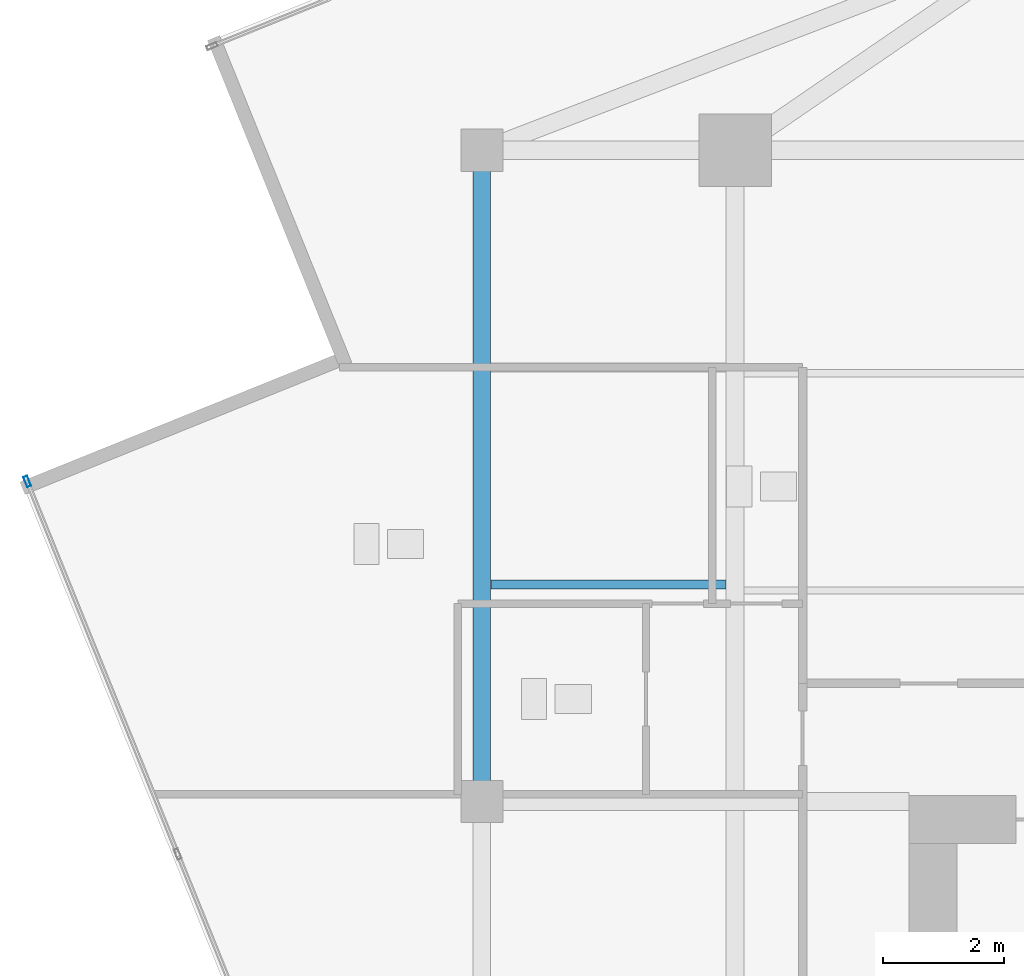
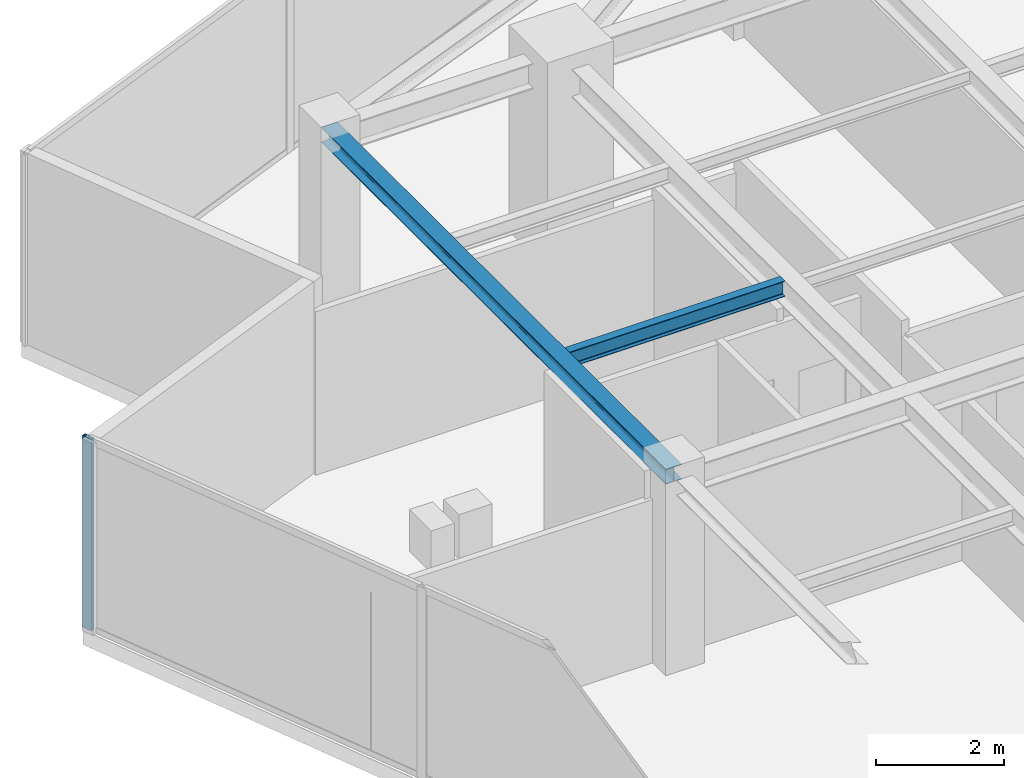
# One storey, part 7 of 21: 2 beams, 1 member, 1 element without a shape of its own.
"""IFC4 building model written with IfcOpenShell, lengths in metres."""

import ifcopenshell
import ifcopenshell.guid

model = None  # the IFC model being written
_history = None  # IfcOwnerHistory: only IFC2X3 demands one
_inside = {}  # id of a spatial element -> (the spatial element, [elements in it])
_under = {}  # id of a project, library or spatial element -> (it, [spatial elements below it])
_declared = {}  # id of a project -> (the project, [libraries it declares])
_typed = {}  # id of a type object -> (the type object, [elements of that type])
_made_of = {}  # id of a material, layer set ... -> (it, [elements and type objects made of it])


def new_model(schema):
    """Start an empty IFC model of exactly this schema.

    Asked for "IFC4X3", IfcOpenShell would pick the latest addendum, in which some entities
    have other attributes; the version numbers below select the first issue.
    IFC2X3 requires an IfcOwnerHistory on every rooted entity: one is made here for all.
    """
    global model, _history
    if schema == "IFC4X3":
        model = ifcopenshell.file(schema_version=(4, 3, 0, 0))
    else:
        model = ifcopenshell.file(schema=schema)
    _inside.clear()
    _under.clear()
    _declared.clear()
    _typed.clear()
    _made_of.clear()
    _history = None
    if model.schema == "IFC2X3":
        org = make("IfcOrganization", Name="unknown")
        user = make(
            "IfcPersonAndOrganization",
            ThePerson=make("IfcPerson", FamilyName="unknown"),
            TheOrganization=org,
        )
        app = make(
            "IfcApplication",
            ApplicationDeveloper=org,
            Version="unknown",
            ApplicationFullName="unknown",
            ApplicationIdentifier="unknown",
        )
        _history = make(
            "IfcOwnerHistory",
            OwningUser=user,
            OwningApplication=app,
            ChangeAction="ADDED",
            CreationDate=0,
        )
    return model


def make(cls, **values):
    """One entity of the class cls with the attributes given. An attribute that is None is left unset."""
    return model.create_entity(
        cls, **{name: value for name, value in values.items() if value is not None}
    )


def rooted(cls, **values):
    """An entity with a GlobalId (a new one), such as an element, a storey or a relation."""
    return make(cls, GlobalId=ifcopenshell.guid.new(), OwnerHistory=_history, **values)


def si_unit(unit_type, name, prefix=None):
    """IfcSIUnit, for example si_unit("LENGTHUNIT", "METRE", prefix="MILLI")."""
    return make("IfcSIUnit", UnitType=unit_type, Prefix=prefix, Name=name)


def assignment(units):
    """IfcUnitAssignment: the units of a project."""
    return None if units is None else make("IfcUnitAssignment", Units=units)


def point(xyz):
    """IfcCartesianPoint."""
    return None if xyz is None else make("IfcCartesianPoint", Coordinates=xyz)


def direction(xyz):
    """IfcDirection."""
    return None if xyz is None else make("IfcDirection", DirectionRatios=xyz)


def frame(location, z_axis=None, x_axis=None):
    """IfcAxis2Placement3D, a coordinate frame: its origin and axes. An axis left out is left unset."""
    return make(
        "IfcAxis2Placement3D",
        Location=point(location),
        Axis=direction(z_axis),
        RefDirection=direction(x_axis),
    )


def frame_2d(location, x_axis=None):
    """IfcAxis2Placement2D, a coordinate frame in the plane: its origin and x axis."""
    return make(
        "IfcAxis2Placement2D", Location=point(location), RefDirection=direction(x_axis)
    )


def origin():
    """The frame at (0, 0, 0) with its axes left unset."""
    return frame((0.0, 0.0, 0.0))


def origin_2d():
    """The frame at (0, 0) in the plane with its x axis left unset."""
    return frame_2d((0.0, 0.0))


def place(relative_to, where):
    """IfcLocalPlacement: puts the frame where relative to a parent placement (None: the world)."""
    return make(
        "IfcLocalPlacement", PlacementRelTo=relative_to, RelativePlacement=where
    )


def context(
    kind, dimensions, precision=None, world=None, true_north=None, identifier=None
):
    """IfcGeometricRepresentationContext, for example the 3D "Model" context."""
    return make(
        "IfcGeometricRepresentationContext",
        ContextIdentifier=identifier,
        ContextType=kind,
        CoordinateSpaceDimension=dimensions,
        Precision=precision,
        WorldCoordinateSystem=world,
        TrueNorth=true_north,
    )


def subcontext(parent, identifier, kind, view, scale=None):
    """IfcGeometricRepresentationSubContext, for example "Body" below "Model"."""
    return make(
        "IfcGeometricRepresentationSubContext",
        ContextIdentifier=identifier,
        ContextType=kind,
        ParentContext=parent,
        TargetScale=scale,
        TargetView=view,
    )


def project(units=None, contexts=None):
    """IfcProject with its units and contexts."""
    return rooted(
        "IfcProject",
        Name="project",
        RepresentationContexts=contexts,
        UnitsInContext=assignment(units),
    )


def spatial(cls, under=None, at=None, **own):
    """A site, building, storey or space (cls), placed at a placement, below another one or the project."""
    s = rooted(cls, ObjectPlacement=at, **own)
    if under is not None:
        _under.setdefault(under.id(), (under, []))[1].append(s)
    return s


def profile(cls, at=None, kind="AREA", **sizes):
    """A parametric profile (cls). Its sizes go by their IFC names, for example OverallWidth=200.0."""
    return make(cls, ProfileType=kind, Position=at, **sizes)


def hollow_rectangle(**sizes):
    """IfcRectangleHollowProfileDef."""
    return profile("IfcRectangleHollowProfileDef", **sizes)


def i_section(**sizes):
    """IfcIShapeProfileDef."""
    return profile("IfcIShapeProfileDef", **sizes)


def extrude(swept, where, along, depth):
    """IfcExtrudedAreaSolid: the profile swept, set in the frame where, extruded along a direction by depth."""
    return make(
        "IfcExtrudedAreaSolid",
        SweptArea=swept,
        Position=where,
        ExtrudedDirection=direction(along),
        Depth=depth,
    )


def shape(context_of_items, identifier, shape_type, items):
    """IfcShapeRepresentation: the items that make up one representation, for example the "Body"."""
    return make(
        "IfcShapeRepresentation",
        ContextOfItems=context_of_items,
        RepresentationIdentifier=identifier,
        RepresentationType=shape_type,
        Items=items,
    )


def source(mapping_origin, context_of_items, identifier, shape_type, items):
    """IfcRepresentationMap: a shape defined once, which mapped items show again and again."""
    return make(
        "IfcRepresentationMap",
        MappingOrigin=mapping_origin,
        MappedRepresentation=shape(context_of_items, identifier, shape_type, items),
    )


def transform(
    local_origin,
    x_axis=None,
    y_axis=None,
    z_axis=None,
    scale=None,
    scale2=None,
    scale3=None,
    uniform=True,
):
    """IfcCartesianTransformationOperator3D, or its non-uniform kind. x_axis, y_axis, z_axis: its Axis1, 2, 3."""
    if uniform:
        return make(
            "IfcCartesianTransformationOperator3D",
            Axis1=direction(x_axis),
            Axis2=direction(y_axis),
            LocalOrigin=point(local_origin),
            Scale=scale,
            Axis3=direction(z_axis),
        )
    return make(
        "IfcCartesianTransformationOperator3DnonUniform",
        Axis1=direction(x_axis),
        Axis2=direction(y_axis),
        LocalOrigin=point(local_origin),
        Scale=scale,
        Axis3=direction(z_axis),
        Scale2=scale2,
        Scale3=scale3,
    )


def mapped(mapping_source, mapping_target):
    """IfcMappedItem: shows the shape of a source again, moved by a transform."""
    return make(
        "IfcMappedItem", MappingSource=mapping_source, MappingTarget=mapping_target
    )


def material(Name=None, Category=None):
    """IfcMaterial."""
    return make("IfcMaterial", Name=Name, Category=Category)


def material_profile(
    of_material, cross_section, Name=None, Category=None, Priority=None
):
    """IfcMaterialProfile: a cross section and its material."""
    return make(
        "IfcMaterialProfile",
        Name=Name,
        Material=of_material,
        Profile=cross_section,
        Priority=Priority,
        Category=Category,
    )


def profile_set(profiles, Name=None, composite=None):
    """IfcMaterialProfileSet."""
    return make(
        "IfcMaterialProfileSet",
        Name=Name,
        MaterialProfiles=profiles,
        CompositeProfile=composite,
    )


def made_of(thing, what):
    """Note that an element or type object is made of a material, layer set ...; save() writes the relation."""
    if what is not None:
        _made_of.setdefault(what.id(), (what, []))[1].append(thing)
    return thing


def type_object(cls, material=None, **own):
    """A type object (cls), such as IfcWallType, which elements share."""
    return made_of(rooted(cls, **own), material)


def type_shapes(of_type, sources):
    """Give a type object the sources (RepresentationMaps) that its elements show as mapped items."""
    of_type.RepresentationMaps = sources


def element(
    cls,
    number,
    at=None,
    inside=None,
    cuts=None,
    type_object=None,
    material=None,
    context=None,
    identifier="Body",
    shape_type=None,
    held_by="IfcProductDefinitionShape",
    body=None,
    shapes=None,
    **own,
):
    """One element of the class cls, such as IfcWall. Its Tag is "e" and its number.

    at: its placement. inside: the storey or other place that contains it. cuts: it is an
    opening in that element (IfcRelVoidsElement). A single representation is given by context,
    identifier, shape_type and body (its items); several are given by shapes. held_by: the class
    of the entity that holds the representations. save() writes the other relations.
    """
    e = rooted(cls, Tag="e%d" % number, ObjectPlacement=at, **own)
    if body is not None:
        shapes = [shape(context, identifier, shape_type, body)]
    if shapes is not None:
        e.Representation = make(held_by, Representations=shapes)
    if inside is not None:
        _inside.setdefault(inside.id(), (inside, []))[1].append(e)
    if cuts is not None:
        rooted(
            "IfcRelVoidsElement", RelatingBuildingElement=cuts, RelatedOpeningElement=e
        )
    if type_object is not None:
        _typed.setdefault(type_object.id(), (type_object, []))[1].append(e)
    return made_of(e, material)


def aggregate(whole, parts):
    """IfcRelAggregates: a whole, such as a stair, and the parts it consists of."""
    return rooted("IfcRelAggregates", RelatingObject=whole, RelatedObjects=parts)


def save(model, path):
    """Write the relations noted so far, then the file.

    IfcRelAggregates (storeys below a building ...), IfcRelContainedInSpatialStructure (elements
    in a storey), IfcRelDefinesByType, IfcRelAssociatesMaterial and IfcRelDeclares: one each for
    every whole, place, type object, material and project.
    """
    for whole, parts in _under.values():
        aggregate(whole, parts)
    for where, things in _inside.values():
        rooted(
            "IfcRelContainedInSpatialStructure",
            RelatedElements=things,
            RelatingStructure=where,
        )
    for kind, things in _typed.values():
        rooted("IfcRelDefinesByType", RelatedObjects=things, RelatingType=kind)
    for what, things in _made_of.values():
        rooted("IfcRelAssociatesMaterial", RelatedObjects=things, RelatingMaterial=what)
    for by, libraries in _declared.values():
        rooted("IfcRelDeclares", RelatingContext=by, RelatedDefinitions=libraries)
    model.write(path)


model = new_model("IFC4")

# Units and contexts
model_context = context("Model", 3, precision=1e-05, world=origin(), true_north=direction((0.0, 1.0)))
body_context = subcontext(model_context, "Body", "Model", "MODEL_VIEW")
ifc_project = project(units=[si_unit("LENGTHUNIT", "METRE"), si_unit("AREAUNIT", "SQUARE_METRE"), si_unit("VOLUMEUNIT", "CUBIC_METRE"), si_unit("PLANEANGLEUNIT", "RADIAN"), si_unit("MASSUNIT", "GRAM", prefix="KILO")], contexts=[model_context])

# Site, building, storey
site_placement = place(None, origin())
site = spatial("IfcSite", under=ifc_project, at=site_placement, CompositionType="ELEMENT")
building_placement = place(site_placement, origin())
building = spatial("IfcBuilding", under=site, at=building_placement, Name="Krantzveldt Concourse Tower", CompositionType="ELEMENT")
storey_placement = place(building_placement, frame((0.0, 0.0, 323.75)))
storey = spatial("IfcBuildingStorey", under=building, at=storey_placement, Name="L79", CompositionType="ELEMENT", Elevation=323.75)

# Beams
ifc_material_1 = material(Name="Steel S355JR", Category="steel")
ifc_material_profile_1 = material_profile(ifc_material_1, i_section(OverallWidth=0.2900390625, OverallDepth=0.2900390625, WebThickness=0.008544921875, FlangeThickness=0.013916015625, FilletRadius=0.027099609375, at=origin_2d()), Name="Steel S355JR", Category="steel")
ifc_profile_set_1 = profile_set([ifc_material_profile_1], Name="Steel S355JR - HEA 300")
beam_type_1 = type_object("IfcBeamType", Name="BM-SP-HEA300", PredefinedType="SPANDREL", material=ifc_profile_set_1)
shared_shape_1 = source(origin(), body_context, "Body", "SweptSolid", [
    extrude(i_section(OverallWidth=0.2900390625, OverallDepth=0.2900390625, WebThickness=0.008544921875, FlangeThickness=0.013916015625, FilletRadius=0.027099609375, at=origin_2d()), origin(), (0.0, 0.0, 1.0), 10.800048828125),
])
type_shapes(beam_type_1, [shared_shape_1])
beam_1_placement = place(storey_placement, frame((21.0, 26.699951171875, 3.52490234375), z_axis=(0.0, 1.0, 0.0), x_axis=(-1.0, 0.0, 0.0)))
element("IfcBeam", 1, at=beam_1_placement, inside=storey, type_object=beam_type_1, Name="L79 Tower Girder SP-R02", PredefinedType="SPANDREL", context=body_context, shape_type="MappedRepresentation", body=[
    mapped(shared_shape_1, transform((0.0, 0.0, 0.0), x_axis=(1.0, 0.0, 0.0), y_axis=(0.0, 1.0, 0.0), z_axis=(0.0, 0.0, 1.0), scale=1.0)),
])
ifc_material_profile_2 = material_profile(ifc_material_1, i_section(OverallWidth=0.14990234375, OverallDepth=0.300048828125, WebThickness=0.007080078125, FlangeThickness=0.0107421875, FilletRadius=0.014892578125, at=origin_2d()), Name="Steel S355JR", Category="steel")
ifc_profile_set_2 = profile_set([ifc_material_profile_2], Name="Steel S355JR - IPE 300")
beam_type_2 = type_object("IfcBeamType", Name="BM-J-IPE300", PredefinedType="JOIST", material=ifc_profile_set_2)
shared_shape_2 = source(origin(), body_context, "Body", "SweptSolid", [
    extrude(i_section(OverallWidth=0.14990234375, OverallDepth=0.300048828125, WebThickness=0.007080078125, FlangeThickness=0.0107421875, FilletRadius=0.014892578125, at=origin_2d()), origin(), (0.0, 0.0, 1.0), 3.900146484375),
])
type_shapes(beam_type_2, [shared_shape_2])
beam_2_placement = place(storey_placement, frame((21.14990234375, 30.300048828125, 3.52001953125), z_axis=(1.0, 0.0, 0.0), x_axis=(0.0, 1.0, 0.0)))
element("IfcBeam", 2, at=beam_2_placement, inside=storey, type_object=beam_type_2, Name="L79 Secondary Floor Joist JW-3", PredefinedType="JOIST", context=body_context, shape_type="MappedRepresentation", body=[
    mapped(shared_shape_2, transform((0.0, 0.0, 0.0), x_axis=(1.0, 0.0, 0.0), y_axis=(0.0, 1.0, 0.0), z_axis=(0.0, 0.0, 1.0), scale=1.0)),
])

# Curtain wall, member
ifc_material_2 = material(Name="Anodised aluminium 6063-T6", Category="aluminium")
curtain_wall_type = type_object("IfcCurtainWallType", Name="CW4", PredefinedType="USERDEFINED", material=ifc_material_2)
curtain_wall_placement = place(storey_placement, origin())
curtain_wall = element("IfcCurtainWall", 3, at=curtain_wall_placement, inside=storey, type_object=curtain_wall_type, Name="CW-L79-F04", ObjectType="UNITISED CURTAIN WALL", PredefinedType="USERDEFINED")
ifc_material_profile_3 = material_profile(ifc_material_2, hollow_rectangle(XDim=0.070068359375, YDim=0.179931640625, WallThickness=0.0048828125, at=origin_2d()), Name="Anodised aluminium 6063-T6", Category="aluminium")
ifc_profile_set_3 = profile_set([ifc_material_profile_3], Name="Anodised aluminium 6063-T6 - ALU-MULL 180x70x5")
member_type = type_object("IfcMemberType", Name="CW-MUL-180", PredefinedType="MULLION", material=ifc_profile_set_3)
shared_shape_3 = source(origin(), body_context, "Body", "SweptSolid", [
    extrude(hollow_rectangle(XDim=0.070068359375, YDim=0.179931640625, WallThickness=0.0048828125, at=origin_2d()), origin(), (0.0, 0.0, 1.0), 3.669921875),
])
type_shapes(member_type, [shared_shape_3])
member_placement = place(storey_placement, frame((13.46044921875, 32.008056640625, 0.0), z_axis=(0.0, 0.0, 1.0), x_axis=(0.927183825969, 0.374606664198, 0.0)))
member = element("IfcMember", 4, at=member_placement, type_object=member_type, Name="CW-Z56 mullion 1", PredefinedType="MULLION", context=body_context, shape_type="MappedRepresentation", body=[
    mapped(shared_shape_3, transform((0.0, 0.0, 0.0), x_axis=(1.0, 0.0, 0.0), y_axis=(0.0, 1.0, 0.0), z_axis=(0.0, 0.0, 1.0), scale=1.0)),
])
aggregate(curtain_wall, [member])

save(model, "model.ifc")
